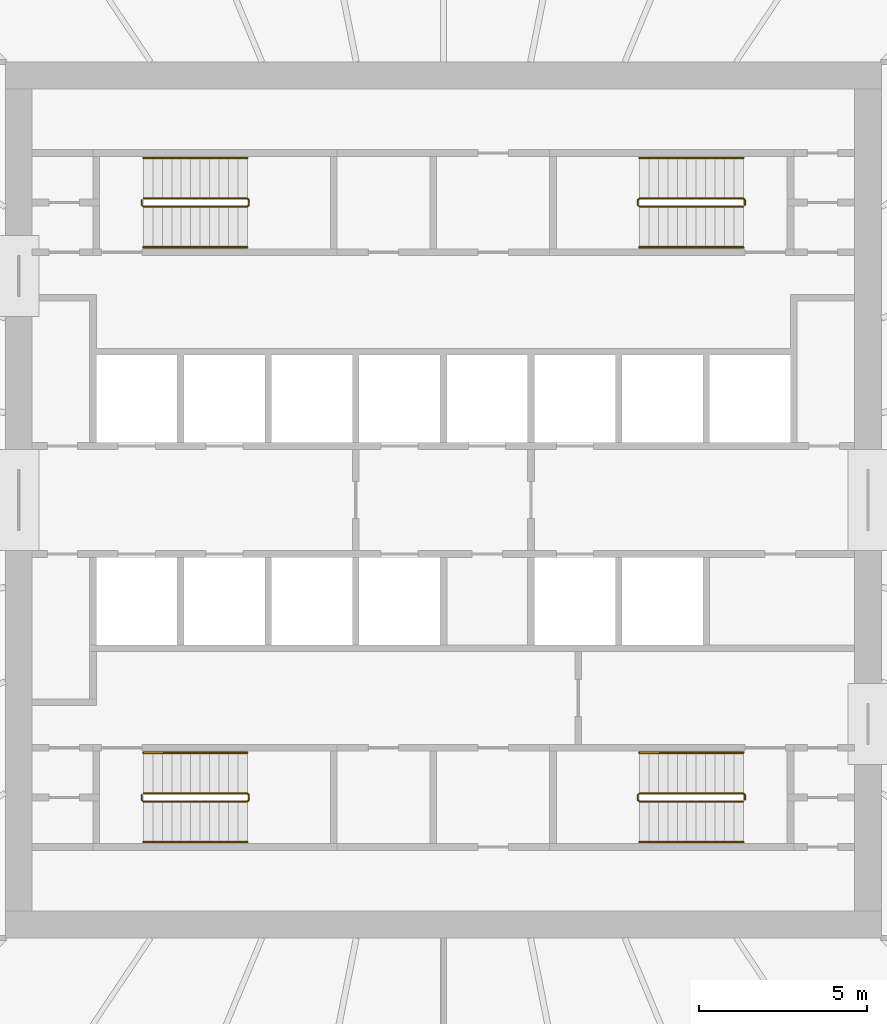
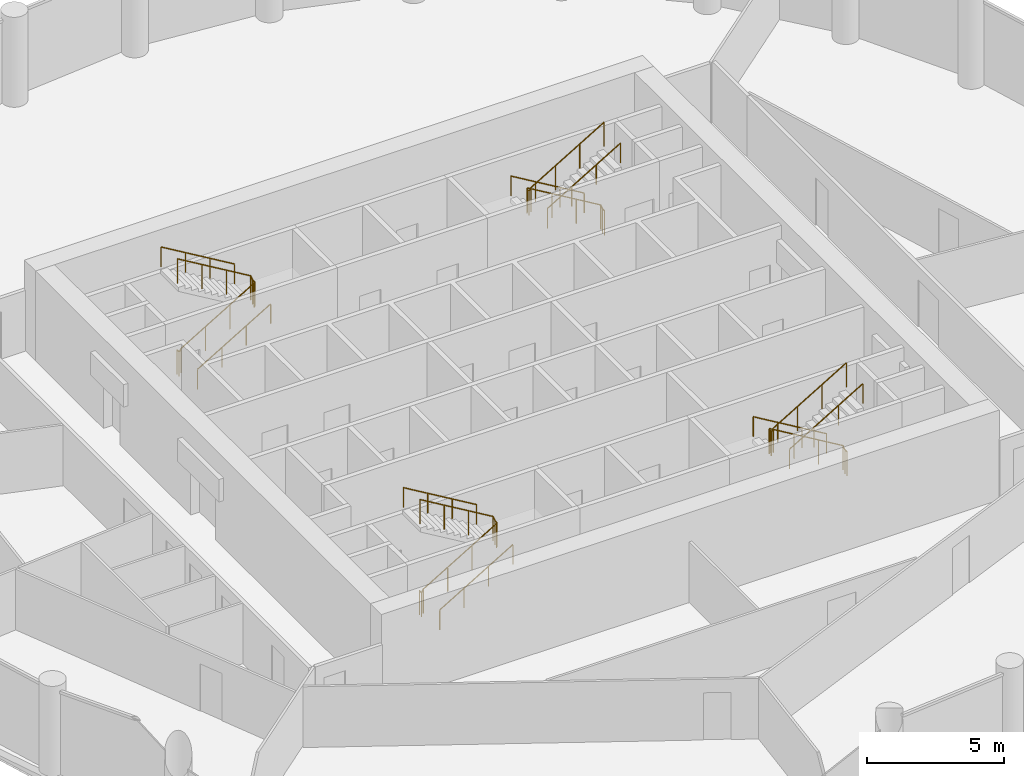
# One storey, part 8 of 8: 12 railings.
"""IFC4 building model written with IfcOpenShell, lengths in metres."""

from ifc_helpers import new_model, si_unit, direction, frame, origin, origin_2d, place, context, subcontext, project, spatial, circle, extrude, material, type_object, element, save


model = new_model("IFC4")

# Units and contexts
model_context = context("Model", 3, precision=1e-05, world=origin(), true_north=direction((0.0, 1.0)))
body_context = subcontext(model_context, "Body", "Model", "MODEL_VIEW")
ifc_project = project(units=[si_unit("LENGTHUNIT", "METRE"), si_unit("AREAUNIT", "SQUARE_METRE"), si_unit("VOLUMEUNIT", "CUBIC_METRE"), si_unit("PLANEANGLEUNIT", "RADIAN"), si_unit("MASSUNIT", "GRAM", prefix="KILO")], contexts=[model_context])

# Site, building, storey
site_placement = place(None, origin())
site = spatial("IfcSite", under=ifc_project, at=site_placement, CompositionType="ELEMENT")
building_placement = place(site_placement, origin())
building = spatial("IfcBuilding", under=site, at=building_placement, Name="Corvane Civic Tower", CompositionType="ELEMENT")
storey_placement = place(building_placement, frame((0.0, 0.0, 229.5)))
storey = spatial("IfcBuildingStorey", under=building, at=storey_placement, Name="L54", CompositionType="ELEMENT", Elevation=229.5)

# Railings
ifc_material_1 = material(Name="Steel ASTM A572 Gr 50", Category="steel")
railing_type_1 = type_object("IfcRailingType", Name="ST-GUARD-1100", PredefinedType="GUARDRAIL", material=ifc_material_1)
railing_1_placement = place(storey_placement, frame((8.949951171875, 8.75, 0.0)))
element("IfcRailing", 1, at=railing_1_placement, inside=storey, type_object=railing_type_1, Name="L54 ST1 stair guard 1", PredefinedType="GUARDRAIL", context=body_context, shape_type="SweptSolid", body=[
    extrude(circle(Radius=0.02392578125, at=origin_2d()), frame((0.0, 0.0, 1.076171875), z_axis=(0.0, 1.0, 0.0), x_axis=(-1.0, 0.0, 0.0)), (0.0, 0.0, 1.0), 0.14990234375),
    extrude(circle(Radius=0.02392578125, at=origin_2d()), frame((0.0, 0.14990234375, 1.076171875), z_axis=(-0.27628659633, 0.27628659633, 0.920506074601), x_axis=(-0.707106781187, -0.707106781187, 0.0)), (0.0, 0.0, 1.0), 0.18115234375),
    extrude(circle(Radius=0.02392578125, at=origin_2d()), frame((-0.050048828125, 0.199951171875, 1.24267578125), z_axis=(-0.859290745958, 0.0, 0.51148745235), x_axis=(0.0, -1.0, 0.0)), (0.0, 0.0, 1.0), 3.584228515625),
    extrude(circle(Radius=0.02392578125, at=origin_2d()), frame((-3.1298828125, 0.199951171875, 3.076171875), z_axis=(-0.707106781187, -0.707106781187, 0.0), x_axis=(0.707106781187, -0.707106781187, 0.0)), (0.0, 0.0, 1.0), 0.07080078125),
    extrude(circle(Radius=0.02392578125, at=origin_2d()), frame((-3.179931640625, 0.14990234375, 3.076171875), z_axis=(0.0, -1.0, 0.0), x_axis=(1.0, 0.0, 0.0)), (0.0, 0.0, 1.0), 0.14990234375),
    extrude(circle(Radius=0.02392578125, at=origin_2d()), frame((-3.179931640625, 0.0, 3.076171875), z_axis=(0.27628659633, -0.27628659633, 0.920506074601), x_axis=(0.707106781187, 0.707106781187, 0.0)), (0.0, 0.0, 1.0), 0.18115234375),
    extrude(circle(Radius=0.02392578125, at=origin_2d()), frame((-3.1298828125, -0.050048828125, 3.24267578125), z_axis=(0.859290745958, 0.0, 0.51148745235), x_axis=(0.0, 1.0, 0.0)), (0.0, 0.0, 1.0), 3.584228515625),
    extrude(circle(Radius=0.02099609375, at=origin_2d()), origin(), (0.0, 0.0, 1.0), 1.052001953125),
    extrude(circle(Radius=0.02099609375, at=origin_2d()), frame((0.0, 0.14990234375, 0.0)), (0.0, 0.0, 1.0), 1.052001953125),
    extrude(circle(Radius=0.02099609375, at=origin_2d()), frame((-0.050048828125, 0.199951171875, 0.166748046875)), (0.0, 0.0, 1.0), 1.052001953125),
    extrude(circle(Radius=0.02099609375, at=origin_2d()), frame((-1.07666015625, 0.199951171875, 0.77783203125)), (0.0, 0.0, 1.0), 1.052001953125),
    extrude(circle(Radius=0.02099609375, at=origin_2d()), frame((-2.103271484375, 0.199951171875, 1.388916015625)), (0.0, 0.0, 1.0), 1.052001953125),
    extrude(circle(Radius=0.02099609375, at=origin_2d()), frame((-3.1298828125, 0.199951171875, 2.0)), (0.0, 0.0, 1.0), 1.052001953125),
    extrude(circle(Radius=0.02099609375, at=origin_2d()), frame((-3.179931640625, 0.14990234375, 2.0)), (0.0, 0.0, 1.0), 1.052001953125),
    extrude(circle(Radius=0.02099609375, at=origin_2d()), frame((-3.179931640625, 0.0, 2.0)), (0.0, 0.0, 1.0), 1.052001953125),
    extrude(circle(Radius=0.02099609375, at=origin_2d()), frame((-3.1298828125, -0.050048828125, 2.166748046875)), (0.0, 0.0, 1.0), 1.052001953125),
    extrude(circle(Radius=0.02099609375, at=origin_2d()), frame((-2.103271484375, -0.050048828125, 2.77783203125)), (0.0, 0.0, 1.0), 1.052001953125),
    extrude(circle(Radius=0.02099609375, at=origin_2d()), frame((-1.07666015625, -0.050048828125, 3.388916015625)), (0.0, 0.0, 1.0), 1.052001953125),
    extrude(circle(Radius=0.02099609375, at=origin_2d()), frame((-0.050048828125, -0.050048828125, 4.0)), (0.0, 0.0, 1.0), 1.052001953125),
])
railing_2_placement = place(storey_placement, frame((8.949951171875, -8.89990234375, 0.0)))
element("IfcRailing", 2, at=railing_2_placement, inside=storey, type_object=railing_type_1, Name="L54 ST2 stair guard 1", PredefinedType="GUARDRAIL", context=body_context, shape_type="SweptSolid", body=[
    extrude(circle(Radius=0.02392578125, at=origin_2d()), frame((0.0, 0.0, 1.076171875), z_axis=(0.0, 1.0, 0.0), x_axis=(-1.0, 0.0, 0.0)), (0.0, 0.0, 1.0), 0.14990234375),
    extrude(circle(Radius=0.02392578125, at=origin_2d()), frame((0.0, 0.14990234375, 1.076171875), z_axis=(-0.27628659633, 0.27628659633, 0.920506074601), x_axis=(-0.707106781187, -0.707106781187, 0.0)), (0.0, 0.0, 1.0), 0.18115234375),
    extrude(circle(Radius=0.02392578125, at=origin_2d()), frame((-0.050048828125, 0.199951171875, 1.24267578125), z_axis=(-0.859290745958, 0.0, 0.51148745235), x_axis=(0.0, -1.0, 0.0)), (0.0, 0.0, 1.0), 3.584228515625),
    extrude(circle(Radius=0.02392578125, at=origin_2d()), frame((-3.1298828125, 0.199951171875, 3.076171875), z_axis=(-0.707106781187, -0.707106781187, 0.0), x_axis=(0.707106781187, -0.707106781187, 0.0)), (0.0, 0.0, 1.0), 0.07080078125),
    extrude(circle(Radius=0.02392578125, at=origin_2d()), frame((-3.179931640625, 0.14990234375, 3.076171875), z_axis=(0.0, -1.0, 0.0), x_axis=(1.0, 0.0, 0.0)), (0.0, 0.0, 1.0), 0.14990234375),
    extrude(circle(Radius=0.02392578125, at=origin_2d()), frame((-3.179931640625, 0.0, 3.076171875), z_axis=(0.27628659633, -0.27628659633, 0.920506074601), x_axis=(0.707106781187, 0.707106781187, 0.0)), (0.0, 0.0, 1.0), 0.18115234375),
    extrude(circle(Radius=0.02392578125, at=origin_2d()), frame((-3.1298828125, -0.050048828125, 3.24267578125), z_axis=(0.859290745958, 0.0, 0.51148745235), x_axis=(0.0, 1.0, 0.0)), (0.0, 0.0, 1.0), 3.584228515625),
    extrude(circle(Radius=0.02099609375, at=origin_2d()), origin(), (0.0, 0.0, 1.0), 1.052001953125),
    extrude(circle(Radius=0.02099609375, at=origin_2d()), frame((0.0, 0.14990234375, 0.0)), (0.0, 0.0, 1.0), 1.052001953125),
    extrude(circle(Radius=0.02099609375, at=origin_2d()), frame((-0.050048828125, 0.199951171875, 0.166748046875)), (0.0, 0.0, 1.0), 1.052001953125),
    extrude(circle(Radius=0.02099609375, at=origin_2d()), frame((-1.07666015625, 0.199951171875, 0.77783203125)), (0.0, 0.0, 1.0), 1.052001953125),
    extrude(circle(Radius=0.02099609375, at=origin_2d()), frame((-2.103271484375, 0.199951171875, 1.388916015625)), (0.0, 0.0, 1.0), 1.052001953125),
    extrude(circle(Radius=0.02099609375, at=origin_2d()), frame((-3.1298828125, 0.199951171875, 2.0)), (0.0, 0.0, 1.0), 1.052001953125),
    extrude(circle(Radius=0.02099609375, at=origin_2d()), frame((-3.179931640625, 0.14990234375, 2.0)), (0.0, 0.0, 1.0), 1.052001953125),
    extrude(circle(Radius=0.02099609375, at=origin_2d()), frame((-3.179931640625, 0.0, 2.0)), (0.0, 0.0, 1.0), 1.052001953125),
    extrude(circle(Radius=0.02099609375, at=origin_2d()), frame((-3.1298828125, -0.050048828125, 2.166748046875)), (0.0, 0.0, 1.0), 1.052001953125),
    extrude(circle(Radius=0.02099609375, at=origin_2d()), frame((-2.103271484375, -0.050048828125, 2.77783203125)), (0.0, 0.0, 1.0), 1.052001953125),
    extrude(circle(Radius=0.02099609375, at=origin_2d()), frame((-1.07666015625, -0.050048828125, 3.388916015625)), (0.0, 0.0, 1.0), 1.052001953125),
    extrude(circle(Radius=0.02099609375, at=origin_2d()), frame((-0.050048828125, -0.050048828125, 4.0)), (0.0, 0.0, 1.0), 1.052001953125),
])
railing_3_placement = place(storey_placement, frame((-8.949951171875, -8.75, 0.0)))
element("IfcRailing", 3, at=railing_3_placement, inside=storey, type_object=railing_type_1, Name="L54 ST3 stair guard 1", PredefinedType="GUARDRAIL", context=body_context, shape_type="SweptSolid", body=[
    extrude(circle(Radius=0.02392578125, at=origin_2d()), frame((0.0, 0.0, 1.076171875), z_axis=(0.0, -1.0, 0.0), x_axis=(1.0, 0.0, 0.0)), (0.0, 0.0, 1.0), 0.14990234375),
    extrude(circle(Radius=0.02392578125, at=origin_2d()), frame((0.0, -0.14990234375, 1.076171875), z_axis=(0.27628659633, -0.27628659633, 0.920506074601), x_axis=(0.707106781187, 0.707106781187, 0.0)), (0.0, 0.0, 1.0), 0.18115234375),
    extrude(circle(Radius=0.02392578125, at=origin_2d()), frame((0.050048828125, -0.199951171875, 1.24267578125), z_axis=(0.859290745958, 0.0, 0.51148745235), x_axis=(0.0, 1.0, 0.0)), (0.0, 0.0, 1.0), 3.584228515625),
    extrude(circle(Radius=0.02392578125, at=origin_2d()), frame((3.1298828125, -0.199951171875, 3.076171875), z_axis=(0.707106781187, 0.707106781187, 0.0), x_axis=(-0.707106781187, 0.707106781187, 0.0)), (0.0, 0.0, 1.0), 0.07080078125),
    extrude(circle(Radius=0.02392578125, at=origin_2d()), frame((3.179931640625, -0.14990234375, 3.076171875), z_axis=(0.0, 1.0, 0.0), x_axis=(-1.0, 0.0, 0.0)), (0.0, 0.0, 1.0), 0.14990234375),
    extrude(circle(Radius=0.02392578125, at=origin_2d()), frame((3.179931640625, 0.0, 3.076171875), z_axis=(-0.27628659633, 0.27628659633, 0.920506074601), x_axis=(-0.707106781187, -0.707106781187, 0.0)), (0.0, 0.0, 1.0), 0.18115234375),
    extrude(circle(Radius=0.02392578125, at=origin_2d()), frame((3.1298828125, 0.050048828125, 3.24267578125), z_axis=(-0.859290745958, 0.0, 0.51148745235), x_axis=(0.0, -1.0, 0.0)), (0.0, 0.0, 1.0), 3.584228515625),
    extrude(circle(Radius=0.02099609375, at=origin_2d()), origin(), (0.0, 0.0, 1.0), 1.052001953125),
    extrude(circle(Radius=0.02099609375, at=origin_2d()), frame((0.0, -0.14990234375, 0.0)), (0.0, 0.0, 1.0), 1.052001953125),
    extrude(circle(Radius=0.02099609375, at=origin_2d()), frame((0.050048828125, -0.199951171875, 0.166748046875)), (0.0, 0.0, 1.0), 1.052001953125),
    extrude(circle(Radius=0.02099609375, at=origin_2d()), frame((1.07666015625, -0.199951171875, 0.77783203125)), (0.0, 0.0, 1.0), 1.052001953125),
    extrude(circle(Radius=0.02099609375, at=origin_2d()), frame((2.103271484375, -0.199951171875, 1.388916015625)), (0.0, 0.0, 1.0), 1.052001953125),
    extrude(circle(Radius=0.02099609375, at=origin_2d()), frame((3.1298828125, -0.199951171875, 2.0)), (0.0, 0.0, 1.0), 1.052001953125),
    extrude(circle(Radius=0.02099609375, at=origin_2d()), frame((3.179931640625, -0.14990234375, 2.0)), (0.0, 0.0, 1.0), 1.052001953125),
    extrude(circle(Radius=0.02099609375, at=origin_2d()), frame((3.179931640625, 0.0, 2.0)), (0.0, 0.0, 1.0), 1.052001953125),
    extrude(circle(Radius=0.02099609375, at=origin_2d()), frame((3.1298828125, 0.050048828125, 2.166748046875)), (0.0, 0.0, 1.0), 1.052001953125),
    extrude(circle(Radius=0.02099609375, at=origin_2d()), frame((2.103271484375, 0.050048828125, 2.77783203125)), (0.0, 0.0, 1.0), 1.052001953125),
    extrude(circle(Radius=0.02099609375, at=origin_2d()), frame((1.07666015625, 0.050048828125, 3.388916015625)), (0.0, 0.0, 1.0), 1.052001953125),
    extrude(circle(Radius=0.02099609375, at=origin_2d()), frame((0.050048828125, 0.050048828125, 4.0)), (0.0, 0.0, 1.0), 1.052001953125),
])
railing_4_placement = place(storey_placement, frame((-8.949951171875, 8.89990234375, 0.0)))
element("IfcRailing", 4, at=railing_4_placement, inside=storey, type_object=railing_type_1, Name="L54 ST4 stair guard 1", PredefinedType="GUARDRAIL", context=body_context, shape_type="SweptSolid", body=[
    extrude(circle(Radius=0.02392578125, at=origin_2d()), frame((0.0, 0.0, 1.076171875), z_axis=(0.0, -1.0, 0.0), x_axis=(1.0, 0.0, 0.0)), (0.0, 0.0, 1.0), 0.14990234375),
    extrude(circle(Radius=0.02392578125, at=origin_2d()), frame((0.0, -0.14990234375, 1.076171875), z_axis=(0.27628659633, -0.27628659633, 0.920506074601), x_axis=(0.707106781187, 0.707106781187, 0.0)), (0.0, 0.0, 1.0), 0.18115234375),
    extrude(circle(Radius=0.02392578125, at=origin_2d()), frame((0.050048828125, -0.199951171875, 1.24267578125), z_axis=(0.859290745958, 0.0, 0.51148745235), x_axis=(0.0, 1.0, 0.0)), (0.0, 0.0, 1.0), 3.584228515625),
    extrude(circle(Radius=0.02392578125, at=origin_2d()), frame((3.1298828125, -0.199951171875, 3.076171875), z_axis=(0.707106781187, 0.707106781187, 0.0), x_axis=(-0.707106781187, 0.707106781187, 0.0)), (0.0, 0.0, 1.0), 0.07080078125),
    extrude(circle(Radius=0.02392578125, at=origin_2d()), frame((3.179931640625, -0.14990234375, 3.076171875), z_axis=(0.0, 1.0, 0.0), x_axis=(-1.0, 0.0, 0.0)), (0.0, 0.0, 1.0), 0.14990234375),
    extrude(circle(Radius=0.02392578125, at=origin_2d()), frame((3.179931640625, 0.0, 3.076171875), z_axis=(-0.27628659633, 0.27628659633, 0.920506074601), x_axis=(-0.707106781187, -0.707106781187, 0.0)), (0.0, 0.0, 1.0), 0.18115234375),
    extrude(circle(Radius=0.02392578125, at=origin_2d()), frame((3.1298828125, 0.050048828125, 3.24267578125), z_axis=(-0.859290745958, 0.0, 0.51148745235), x_axis=(0.0, -1.0, 0.0)), (0.0, 0.0, 1.0), 3.584228515625),
    extrude(circle(Radius=0.02099609375, at=origin_2d()), origin(), (0.0, 0.0, 1.0), 1.052001953125),
    extrude(circle(Radius=0.02099609375, at=origin_2d()), frame((0.0, -0.14990234375, 0.0)), (0.0, 0.0, 1.0), 1.052001953125),
    extrude(circle(Radius=0.02099609375, at=origin_2d()), frame((0.050048828125, -0.199951171875, 0.166748046875)), (0.0, 0.0, 1.0), 1.052001953125),
    extrude(circle(Radius=0.02099609375, at=origin_2d()), frame((1.07666015625, -0.199951171875, 0.77783203125)), (0.0, 0.0, 1.0), 1.052001953125),
    extrude(circle(Radius=0.02099609375, at=origin_2d()), frame((2.103271484375, -0.199951171875, 1.388916015625)), (0.0, 0.0, 1.0), 1.052001953125),
    extrude(circle(Radius=0.02099609375, at=origin_2d()), frame((3.1298828125, -0.199951171875, 2.0)), (0.0, 0.0, 1.0), 1.052001953125),
    extrude(circle(Radius=0.02099609375, at=origin_2d()), frame((3.179931640625, -0.14990234375, 2.0)), (0.0, 0.0, 1.0), 1.052001953125),
    extrude(circle(Radius=0.02099609375, at=origin_2d()), frame((3.179931640625, 0.0, 2.0)), (0.0, 0.0, 1.0), 1.052001953125),
    extrude(circle(Radius=0.02099609375, at=origin_2d()), frame((3.1298828125, 0.050048828125, 2.166748046875)), (0.0, 0.0, 1.0), 1.052001953125),
    extrude(circle(Radius=0.02099609375, at=origin_2d()), frame((2.103271484375, 0.050048828125, 2.77783203125)), (0.0, 0.0, 1.0), 1.052001953125),
    extrude(circle(Radius=0.02099609375, at=origin_2d()), frame((1.07666015625, 0.050048828125, 3.388916015625)), (0.0, 0.0, 1.0), 1.052001953125),
    extrude(circle(Radius=0.02099609375, at=origin_2d()), frame((0.050048828125, 0.050048828125, 4.0)), (0.0, 0.0, 1.0), 1.052001953125),
])
ifc_material_2 = material(Name="Steel ASTM A572 Gr 50", Category="steel")
railing_type_2 = type_object("IfcRailingType", Name="ST-HANDRAIL-900", PredefinedType="HANDRAIL", material=ifc_material_2)
railing_5_placement = place(storey_placement, frame((8.89990234375, 10.14990234375, 0.166748046875)))
element("IfcRailing", 5, at=railing_5_placement, inside=storey, type_object=railing_type_2, Name="L54 ST1 stair handrail 1", PredefinedType="HANDRAIL", context=body_context, shape_type="SweptSolid", body=[
    extrude(circle(Radius=0.02392578125, at=origin_2d()), frame((0.0, 0.0, 0.8759765625), z_axis=(-0.859290745958, 0.0, 0.51148745235), x_axis=(0.0, -1.0, 0.0)), (0.0, 0.0, 1.0), 3.584228515625),
    extrude(circle(Radius=0.02099609375, at=origin_2d()), origin(), (0.0, 0.0, 1.0), 0.851806640625),
    extrude(circle(Radius=0.02099609375, at=origin_2d()), frame((-1.026611328125, 0.0, 0.611083984375)), (0.0, 0.0, 1.0), 0.851806640625),
    extrude(circle(Radius=0.02099609375, at=origin_2d()), frame((-2.05322265625, 0.0, 1.22216796875)), (0.0, 0.0, 1.0), 0.851806640625),
    extrude(circle(Radius=0.02099609375, at=origin_2d()), frame((-3.079833984375, 0.0, 1.833251953125)), (0.0, 0.0, 1.0), 0.851806640625),
])
railing_6_placement = place(storey_placement, frame((5.820068359375, 7.5, 2.166748046875)))
element("IfcRailing", 6, at=railing_6_placement, inside=storey, type_object=railing_type_2, Name="L54 ST1 stair handrail 2", PredefinedType="HANDRAIL", context=body_context, shape_type="SweptSolid", body=[
    extrude(circle(Radius=0.02392578125, at=origin_2d()), frame((0.0, 0.0, 0.8759765625), z_axis=(0.859290745958, 0.0, 0.51148745235), x_axis=(0.0, 1.0, 0.0)), (0.0, 0.0, 1.0), 3.584228515625),
    extrude(circle(Radius=0.02099609375, at=origin_2d()), origin(), (0.0, 0.0, 1.0), 0.851806640625),
    extrude(circle(Radius=0.02099609375, at=origin_2d()), frame((1.026611328125, 0.0, 0.611083984375)), (0.0, 0.0, 1.0), 0.851806640625),
    extrude(circle(Radius=0.02099609375, at=origin_2d()), frame((2.05322265625, 0.0, 1.22216796875)), (0.0, 0.0, 1.0), 0.851806640625),
    extrude(circle(Radius=0.02099609375, at=origin_2d()), frame((3.079833984375, 0.0, 1.833251953125)), (0.0, 0.0, 1.0), 0.851806640625),
])
railing_7_placement = place(storey_placement, frame((8.89990234375, -7.5, 0.166748046875)))
element("IfcRailing", 7, at=railing_7_placement, inside=storey, type_object=railing_type_2, Name="L54 ST2 stair handrail 1", PredefinedType="HANDRAIL", context=body_context, shape_type="SweptSolid", body=[
    extrude(circle(Radius=0.02392578125, at=origin_2d()), frame((0.0, 0.0, 0.8759765625), z_axis=(-0.859290745958, 0.0, 0.51148745235), x_axis=(0.0, -1.0, 0.0)), (0.0, 0.0, 1.0), 3.584228515625),
    extrude(circle(Radius=0.02099609375, at=origin_2d()), origin(), (0.0, 0.0, 1.0), 0.851806640625),
    extrude(circle(Radius=0.02099609375, at=origin_2d()), frame((-1.026611328125, 0.0, 0.611083984375)), (0.0, 0.0, 1.0), 0.851806640625),
    extrude(circle(Radius=0.02099609375, at=origin_2d()), frame((-2.05322265625, 0.0, 1.22216796875)), (0.0, 0.0, 1.0), 0.851806640625),
    extrude(circle(Radius=0.02099609375, at=origin_2d()), frame((-3.079833984375, 0.0, 1.833251953125)), (0.0, 0.0, 1.0), 0.851806640625),
])
for number, where, name in (
    (8, (5.820068359375, -10.14990234375, 2.166748046875), "L54 ST2 stair handrail 2"),
    (9, (-8.89990234375, -10.14990234375, 0.166748046875), "L54 ST3 stair handrail 1"),
):
    element("IfcRailing", number, at=place(storey_placement, frame(where)), inside=storey, type_object=railing_type_2, Name=name, PredefinedType="HANDRAIL", context=body_context, shape_type="SweptSolid", body=[
        extrude(circle(Radius=0.02392578125, at=origin_2d()), frame((0.0, 0.0, 0.8759765625), z_axis=(0.859290745958, 0.0, 0.51148745235), x_axis=(0.0, 1.0, 0.0)), (0.0, 0.0, 1.0), 3.584228515625),
        extrude(circle(Radius=0.02099609375, at=origin_2d()), origin(), (0.0, 0.0, 1.0), 0.851806640625),
        extrude(circle(Radius=0.02099609375, at=origin_2d()), frame((1.026611328125, 0.0, 0.611083984375)), (0.0, 0.0, 1.0), 0.851806640625),
        extrude(circle(Radius=0.02099609375, at=origin_2d()), frame((2.05322265625, 0.0, 1.22216796875)), (0.0, 0.0, 1.0), 0.851806640625),
        extrude(circle(Radius=0.02099609375, at=origin_2d()), frame((3.079833984375, 0.0, 1.833251953125)), (0.0, 0.0, 1.0), 0.851806640625),
    ])
railing_8_placement = place(storey_placement, frame((-5.820068359375, -7.5, 2.166748046875)))
element("IfcRailing", 10, at=railing_8_placement, inside=storey, type_object=railing_type_2, Name="L54 ST3 stair handrail 2", PredefinedType="HANDRAIL", context=body_context, shape_type="SweptSolid", body=[
    extrude(circle(Radius=0.02392578125, at=origin_2d()), frame((0.0, 0.0, 0.8759765625), z_axis=(-0.859290745958, 0.0, 0.51148745235), x_axis=(0.0, -1.0, 0.0)), (0.0, 0.0, 1.0), 3.584228515625),
    extrude(circle(Radius=0.02099609375, at=origin_2d()), origin(), (0.0, 0.0, 1.0), 0.851806640625),
    extrude(circle(Radius=0.02099609375, at=origin_2d()), frame((-1.026611328125, 0.0, 0.611083984375)), (0.0, 0.0, 1.0), 0.851806640625),
    extrude(circle(Radius=0.02099609375, at=origin_2d()), frame((-2.05322265625, 0.0, 1.22216796875)), (0.0, 0.0, 1.0), 0.851806640625),
    extrude(circle(Radius=0.02099609375, at=origin_2d()), frame((-3.079833984375, 0.0, 1.833251953125)), (0.0, 0.0, 1.0), 0.851806640625),
])
railing_9_placement = place(storey_placement, frame((-8.89990234375, 7.5, 0.166748046875)))
element("IfcRailing", 11, at=railing_9_placement, inside=storey, type_object=railing_type_2, Name="L54 ST4 stair handrail 1", PredefinedType="HANDRAIL", context=body_context, shape_type="SweptSolid", body=[
    extrude(circle(Radius=0.02392578125, at=origin_2d()), frame((0.0, 0.0, 0.8759765625), z_axis=(0.859290745958, 0.0, 0.51148745235), x_axis=(0.0, 1.0, 0.0)), (0.0, 0.0, 1.0), 3.584228515625),
    extrude(circle(Radius=0.02099609375, at=origin_2d()), origin(), (0.0, 0.0, 1.0), 0.851806640625),
    extrude(circle(Radius=0.02099609375, at=origin_2d()), frame((1.026611328125, 0.0, 0.611083984375)), (0.0, 0.0, 1.0), 0.851806640625),
    extrude(circle(Radius=0.02099609375, at=origin_2d()), frame((2.05322265625, 0.0, 1.22216796875)), (0.0, 0.0, 1.0), 0.851806640625),
    extrude(circle(Radius=0.02099609375, at=origin_2d()), frame((3.079833984375, 0.0, 1.833251953125)), (0.0, 0.0, 1.0), 0.851806640625),
])
railing_10_placement = place(storey_placement, frame((-5.820068359375, 10.14990234375, 2.166748046875)))
element("IfcRailing", 12, at=railing_10_placement, inside=storey, type_object=railing_type_2, Name="L54 ST4 stair handrail 2", PredefinedType="HANDRAIL", context=body_context, shape_type="SweptSolid", body=[
    extrude(circle(Radius=0.02392578125, at=origin_2d()), frame((0.0, 0.0, 0.8759765625), z_axis=(-0.859290745958, 0.0, 0.51148745235), x_axis=(0.0, -1.0, 0.0)), (0.0, 0.0, 1.0), 3.584228515625),
    extrude(circle(Radius=0.02099609375, at=origin_2d()), origin(), (0.0, 0.0, 1.0), 0.851806640625),
    extrude(circle(Radius=0.02099609375, at=origin_2d()), frame((-1.026611328125, 0.0, 0.611083984375)), (0.0, 0.0, 1.0), 0.851806640625),
    extrude(circle(Radius=0.02099609375, at=origin_2d()), frame((-2.05322265625, 0.0, 1.22216796875)), (0.0, 0.0, 1.0), 0.851806640625),
    extrude(circle(Radius=0.02099609375, at=origin_2d()), frame((-3.079833984375, 0.0, 1.833251953125)), (0.0, 0.0, 1.0), 0.851806640625),
])

save(model, "model.ifc")
